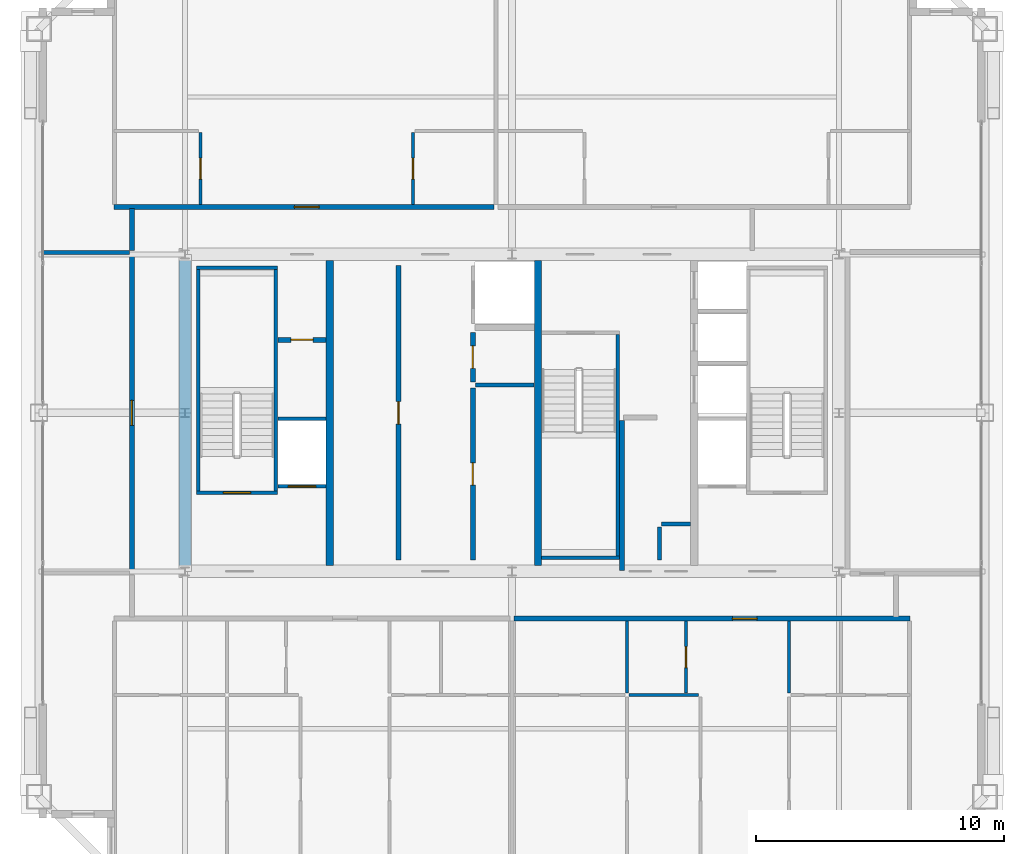
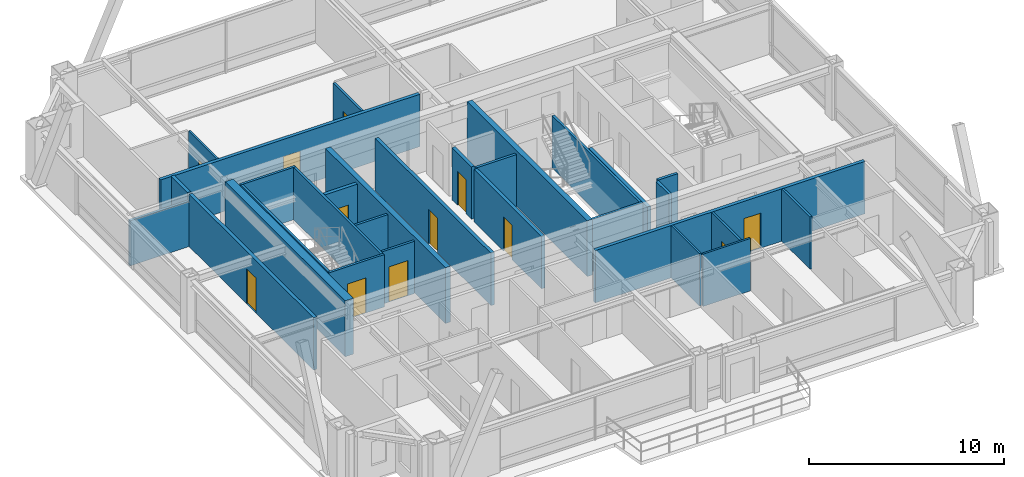
# One storey, part 31 of 34: 30 walls, 12 doors, 12 openings.
"""IFC4 building model written with IfcOpenShell, lengths in metres."""

from ifc_helpers import new_model, si_unit, direction, frame, frame_2d, origin, place, context, subcontext, project, spatial, rectangle, extrude, source, transform, mapped, material, layer, layer_set, type_object, element, fill, save


model = new_model("IFC4")

# Units and contexts
model_context = context("Model", 3, precision=1e-05, world=origin(), true_north=direction((0.0, 1.0)))
body_context = subcontext(model_context, "Body", "Model", "MODEL_VIEW")
ifc_project = project(units=[si_unit("LENGTHUNIT", "METRE"), si_unit("AREAUNIT", "SQUARE_METRE"), si_unit("VOLUMEUNIT", "CUBIC_METRE"), si_unit("PLANEANGLEUNIT", "RADIAN"), si_unit("MASSUNIT", "GRAM", prefix="KILO"), si_unit("THERMODYNAMICTEMPERATUREUNIT", "KELVIN"), si_unit("POWERUNIT", "WATT")], contexts=[model_context])

# Site, building, storey
site_placement = place(None, origin())
site = spatial("IfcSite", under=ifc_project, at=site_placement, CompositionType="ELEMENT")
building_placement = place(site_placement, origin())
building = spatial("IfcBuilding", under=site, at=building_placement, Name="Yuzanri Waterfront Tower", CompositionType="ELEMENT")
storey_placement = place(building_placement, frame((0.0, 0.0, 328.699951171875)))
storey = spatial("IfcBuildingStorey", under=building, at=storey_placement, Name="L88", CompositionType="ELEMENT", Elevation=328.699951171875)

# Wall, opening, door
ifc_material_1 = material(Name="Moisture-Resistant Gypsum Stud Wall", Category="gypsum")
ifc_layer_1 = layer(ifc_material_1, 0.1201171875)
ifc_layer_set_1 = layer_set([ifc_layer_1], Name="Moisture-Resistant Gypsum Stud Wall")
wall_type_1 = type_object("IfcWallType", Name="Bathroom and Kitchen Wet Partition 120", PredefinedType="PARTITIONING", material=ifc_layer_set_1)
wall_1_placement = place(storey_placement, frame((44.02197265625, 14.489990234375, 0.0), z_axis=(0.0, 0.0, 1.0), x_axis=(0.0, 1.0, 0.0)))
wall_1 = element("IfcWall", 1, at=wall_1_placement, inside=storey, type_object=wall_type_1, Name="L88 Partition UW-L88-HS2-SUB-2-E", PredefinedType="PARTITIONING", context=body_context, shape_type="SweptSolid", body=[
    extrude(rectangle(XDim=2.89990234375, YDim=0.1201171875, at=frame_2d((1.449951171875, 0.0))), origin(), (0.0, 0.0, 1.0), 3.280029296875),
])
opening_1_placement = place(wall_1_placement, frame((1.02490234375, 0.0, 0.0)))
opening_1 = element("IfcOpeningElement", 2, at=opening_1_placement, cuts=wall_1, Name="Opening ID-0850", PredefinedType="OPENING", context=body_context, shape_type="SweptSolid", body=[
    extrude(rectangle(XDim=0.85009765625, YDim=2.10009765625, at=frame_2d((0.425048828125, 1.050048828125))), frame((0.0, 0.074951171875, 0.0), z_axis=(0.0, -1.0, 0.0), x_axis=(1.0, 0.0, 0.0)), (0.0, 0.0, 1.0), 0.14990234375),
])
ifc_material_2 = material(Name="Moisture-Resistant Lacquered Timber", Category="wood")
door_type_1 = type_object("IfcDoorType", Name="En-Suite Bathroom and Kitchen Swing Door 850x2100", OperationType="NOTDEFINED", PredefinedType="DOOR", material=ifc_material_2)
shared_shape_1 = source(origin(), body_context, "Body", "SweptSolid", [
    extrude(rectangle(XDim=0.85009765625, YDim=2.10009765625, at=frame_2d((0.425048828125, 1.050048828125))), frame((0.0, 0.02490234375, 0.0), z_axis=(0.0, -1.0, 0.0), x_axis=(1.0, 0.0, 0.0)), (0.0, 0.0, 1.0), 0.050048828125),
])
door_1_placement = place(opening_1_placement, origin())
door_1 = element("IfcDoor", 3, at=door_1_placement, inside=storey, type_object=door_type_1, Name="L88 Suite Interior Room Door", OperationType="SINGLE_SWING_RIGHT", OverallHeight=2.10009765625, OverallWidth=0.85009765625, PredefinedType="DOOR", context=body_context, shape_type="MappedRepresentation", body=[
    mapped(shared_shape_1, transform((0.0, 0.0, 0.0), scale=1.0)),
])
fill(opening_1, door_1)

wall_2_placement = place(storey_placement, frame((24.419921875, 34.2099609375, 0.0), z_axis=(0.0, 0.0, 1.0), x_axis=(0.0, 1.0, 0.0)))
wall_2 = element("IfcWall", 4, at=wall_2_placement, inside=storey, type_object=wall_type_1, Name="L88 Partition UW-L88-HN1-SUB-1-E", PredefinedType="PARTITIONING", context=body_context, shape_type="SweptSolid", body=[
    extrude(rectangle(XDim=2.900146484375, YDim=0.1201171875, at=frame_2d((1.4501953125, 0.0))), origin(), (0.0, 0.0, 1.0), 3.280029296875),
])
opening_2_placement = place(wall_2_placement, frame((1.02490234375, 0.0, 0.0)))
opening_2 = element("IfcOpeningElement", 5, at=opening_2_placement, cuts=wall_2, Name="Opening ID-0850", PredefinedType="OPENING", context=body_context, shape_type="SweptSolid", body=[
    extrude(rectangle(XDim=0.85009765625, YDim=2.10009765625, at=frame_2d((0.425048828125, 1.050048828125))), frame((0.0, 0.074951171875, 0.0), z_axis=(0.0, -1.0, 0.0), x_axis=(1.0, 0.0, 0.0)), (0.0, 0.0, 1.0), 0.14990234375),
])
door_2_placement = place(opening_2_placement, origin())
door_2 = element("IfcDoor", 6, at=door_2_placement, inside=storey, type_object=door_type_1, Name="L88 Suite Interior Room Door", OperationType="SINGLE_SWING_LEFT", OverallHeight=2.10009765625, OverallWidth=0.85009765625, PredefinedType="DOOR", context=body_context, shape_type="MappedRepresentation", body=[
    mapped(shared_shape_1, transform((0.0, 0.0, 0.0), scale=1.0)),
])
fill(opening_2, door_2)

wall_3_placement = place(storey_placement, frame((32.998046875, 34.2099609375, 0.0), z_axis=(0.0, 0.0, 1.0), x_axis=(0.0, 1.0, 0.0)))
wall_3 = element("IfcWall", 7, at=wall_3_placement, inside=storey, type_object=wall_type_1, Name="L88 Partition UW-L88-HN1-SUB-2-W", PredefinedType="PARTITIONING", context=body_context, shape_type="SweptSolid", body=[
    extrude(rectangle(XDim=2.900146484375, YDim=0.1201171875, at=frame_2d((1.4501953125, 0.0))), origin(), (0.0, 0.0, 1.0), 3.280029296875),
])
opening_3_placement = place(wall_3_placement, frame((1.02490234375, 0.0, 0.0)))
opening_3 = element("IfcOpeningElement", 8, at=opening_3_placement, cuts=wall_3, Name="Opening ID-0850", PredefinedType="OPENING", context=body_context, shape_type="SweptSolid", body=[
    extrude(rectangle(XDim=0.85009765625, YDim=2.10009765625, at=frame_2d((0.425048828125, 1.050048828125))), frame((0.0, 0.074951171875, 0.0), z_axis=(0.0, -1.0, 0.0), x_axis=(1.0, 0.0, 0.0)), (0.0, 0.0, 1.0), 0.14990234375),
])
door_3_placement = place(opening_3_placement, origin())
door_3 = element("IfcDoor", 9, at=door_3_placement, inside=storey, type_object=door_type_1, Name="L88 Suite Interior Room Door", OperationType="SINGLE_SWING_RIGHT", OverallHeight=2.10009765625, OverallWidth=0.85009765625, PredefinedType="DOOR", context=body_context, shape_type="MappedRepresentation", body=[
    mapped(shared_shape_1, transform((0.0, 0.0, 0.0), scale=1.0)),
])
fill(opening_3, door_3)

ifc_material_3 = material(Name="Concrete C40", Category="concrete")
ifc_layer_2 = layer(ifc_material_3, 0.139892578125)
ifc_layer_set_2 = layer_set([ifc_layer_2], Name="Concrete C40")
wall_type_2 = type_object("IfcWallType", Name="Core Stair Liner and Hoistway Shaft Wall 140", PredefinedType="SOLIDWALL", material=ifc_layer_set_2)
wall_4_placement = place(storey_placement, frame((27.56005859375, 22.830078125, 0.0), z_axis=(0.0, 0.0, 1.0), x_axis=(1.0, 0.0, 0.0)))
wall_4 = element("IfcWall", 10, at=wall_4_placement, inside=storey, type_object=wall_type_2, Name="L88 Lift FL-01 Front Shaft Wall", PredefinedType="SOLIDWALL", context=body_context, shape_type="SweptSolid", body=[
    extrude(rectangle(XDim=1.919921875, YDim=0.139892578125, at=frame_2d((0.9599609375, 0.0))), origin(), (0.0, 0.0, 1.0), 3.280029296875),
])
opening_4_placement = place(wall_4_placement, frame((0.409912109375, 0.0, 0.0)))
opening_4 = element("IfcOpeningElement", 11, at=opening_4_placement, cuts=wall_4, Name="Opening LD-FL-01", PredefinedType="OPENING", context=body_context, shape_type="SweptSolid", body=[
    extrude(rectangle(XDim=1.10009765625, YDim=2.199951171875, at=frame_2d((0.550048828125, 1.10009765625))), frame((0.0, 0.0849609375, 0.0), z_axis=(0.0, -1.0, 0.0), x_axis=(1.0, 0.0, 0.0)), (0.0, 0.0, 1.0), 0.169677734375),
])
ifc_material_4 = material(Name="Brushed Bronze and Stainless Steel Cab", Category="steel")
door_type_2 = type_object("IfcDoorType", Name="Center-Parting Bronze Lift Landing Sliding Door 1100x2200", OperationType="NOTDEFINED", PredefinedType="DOOR", material=ifc_material_4)
shared_shape_2 = source(origin(), body_context, "Body", "SweptSolid", [
    extrude(rectangle(XDim=1.10009765625, YDim=2.199951171875, at=frame_2d((0.550048828125, 1.10009765625))), frame((0.0, 0.02490234375, 0.0), z_axis=(0.0, -1.0, 0.0), x_axis=(1.0, 0.0, 0.0)), (0.0, 0.0, 1.0), 0.050048828125),
])
door_4_placement = place(opening_4_placement, origin())
door_4 = element("IfcDoor", 12, at=door_4_placement, inside=storey, type_object=door_type_2, Name="L88 FL-01 Lift Landing Sliding Door", OperationType="SLIDING_TO_LEFT", OverallHeight=2.199951171875, OverallWidth=1.10009765625, PredefinedType="DOOR", context=body_context, shape_type="MappedRepresentation", body=[
    mapped(shared_shape_2, transform((0.0, 0.0, 0.0), scale=1.0)),
])
fill(opening_4, door_4)

wall_5_placement = place(storey_placement, frame((24.260009765625, 22.570068359375, 0.0), z_axis=(0.0, 0.0, 1.0), x_axis=(1.0, 0.0, 0.0)))
wall_5 = element("IfcWall", 13, at=wall_5_placement, inside=storey, type_object=wall_type_2, Name="L88 Shaft Wall STW-L88-ST-01-S", PredefinedType="SOLIDWALL", context=body_context, shape_type="SweptSolid", body=[
    extrude(rectangle(XDim=3.280029296875, YDim=0.139892578125, at=frame_2d((1.64013671875, 0.0))), origin(), (0.0, 0.0, 1.0), 3.280029296875),
])
opening_5_placement = place(wall_5_placement, frame((1.090087890625, 0.0, 0.0)))
opening_5 = element("IfcOpeningElement", 14, at=opening_5_placement, cuts=wall_5, Name="Opening FD-1100", PredefinedType="OPENING", context=body_context, shape_type="SweptSolid", body=[
    extrude(rectangle(XDim=1.10009765625, YDim=2.199951171875, at=frame_2d((0.550048828125, 1.10009765625))), frame((0.0, 0.0849609375, 0.0), z_axis=(0.0, -1.0, 0.0), x_axis=(1.0, 0.0, 0.0)), (0.0, 0.0, 1.0), 0.169677734375),
])
ifc_material_5 = material(Name="Painted Galvanized Fire Steel", Category="steel")
door_type_3 = type_object("IfcDoorType", Name="Smoke-Proof Stair and Lobby Fire Door 1100x2200", OperationType="NOTDEFINED", PredefinedType="DOOR", material=ifc_material_5)
shared_shape_3 = source(origin(), body_context, "Body", "SweptSolid", [
    extrude(rectangle(XDim=1.10009765625, YDim=2.199951171875, at=frame_2d((0.550048828125, 1.10009765625))), frame((0.0, 0.02490234375, 0.0), z_axis=(0.0, -1.0, 0.0), x_axis=(1.0, 0.0, 0.0)), (0.0, 0.0, 1.0), 0.050048828125),
])
door_5_placement = place(opening_5_placement, origin())
door_5 = element("IfcDoor", 15, at=door_5_placement, inside=storey, type_object=door_type_3, Name="L88 Stair ST-01 Fire Door", OperationType="SINGLE_SWING_RIGHT", OverallHeight=2.199951171875, OverallWidth=1.10009765625, PredefinedType="DOOR", context=body_context, shape_type="MappedRepresentation", body=[
    mapped(shared_shape_3, transform((0.0, 0.0, 0.0), scale=1.0)),
])
fill(opening_5, door_5)

ifc_material_6 = material(Name="Autoclaved Aerated Concrete Blockwork", Category="masonry")
ifc_layer_3 = layer(ifc_material_6, 0.199951171875)
ifc_layer_set_3 = layer_set([ifc_layer_3], Name="Autoclaved Aerated Concrete Blockwork")
wall_type_3 = type_object("IfcWallType", Name="Corridor and Unit Party Fire Wall 200", PredefinedType="PARTITIONING", material=ifc_layer_set_3)
wall_6_placement = place(storey_placement, frame((27.56005859375, 28.75, 0.0), z_axis=(0.0, 0.0, 1.0), x_axis=(1.0, 0.0, 0.0)))
wall_6 = element("IfcWall", 16, at=wall_6_placement, inside=storey, type_object=wall_type_3, Name="L88 Partition CRW-L88-ERTR", PredefinedType="PARTITIONING", context=body_context, shape_type="SweptSolid", body=[
    extrude(rectangle(XDim=1.919921875, YDim=0.199951171875, at=frame_2d((0.9599609375, 0.0))), origin(), (0.0, 0.0, 1.0), 3.280029296875),
])
opening_6_placement = place(wall_6_placement, frame((0.510009765625, 0.0, 0.0)))
opening_6 = element("IfcOpeningElement", 17, at=opening_6_placement, cuts=wall_6, Name="Opening FD-0900", PredefinedType="OPENING", context=body_context, shape_type="SweptSolid", body=[
    extrude(rectangle(XDim=0.89990234375, YDim=2.14990234375, at=frame_2d((0.449951171875, 1.074951171875))), frame((0.0, 0.11474609375, 0.0), z_axis=(0.0, -1.0, 0.0), x_axis=(1.0, 0.0, 0.0)), (0.0, 0.0, 1.0), 0.229736328125),
])
ifc_material_7 = material(Name="Painted Galvanized Fire Steel", Category="steel")
door_type_4 = type_object("IfcDoorType", Name="Riser and Service Room Fire Door 900x2150", OperationType="NOTDEFINED", PredefinedType="DOOR", material=ifc_material_7)
shared_shape_4 = source(origin(), body_context, "Body", "SweptSolid", [
    extrude(rectangle(XDim=0.89990234375, YDim=2.14990234375, at=frame_2d((0.449951171875, 1.074951171875))), frame((0.0, 0.02490234375, 0.0), z_axis=(0.0, -1.0, 0.0), x_axis=(1.0, 0.0, 0.0)), (0.0, 0.0, 1.0), 0.050048828125),
])
door_6_placement = place(opening_6_placement, origin())
door_6 = element("IfcDoor", 18, at=door_6_placement, inside=storey, type_object=door_type_4, Name="L88 Electrical Riser Door", OperationType="SINGLE_SWING_RIGHT", OverallHeight=2.14990234375, OverallWidth=0.89990234375, PredefinedType="DOOR", context=body_context, shape_type="MappedRepresentation", body=[
    mapped(shared_shape_4, transform((0.0, 0.0, 0.0), scale=1.0)),
])
fill(opening_6, door_6)

wall_7_placement = place(storey_placement, frame((32.419921875, 19.860107421875, 0.0), z_axis=(0.0, 0.0, 1.0), x_axis=(0.0, 1.0, 0.0)))
wall_7 = element("IfcWall", 19, at=wall_7_placement, inside=storey, type_object=wall_type_3, Name="L88 Partition CRW-L88-B1R-1", PredefinedType="PARTITIONING", context=body_context, shape_type="SweptSolid", body=[
    extrude(rectangle(XDim=11.8798828125, YDim=0.199951171875, at=frame_2d((5.93994140625, 0.0))), origin(), (0.0, 0.0, 1.0), 3.280029296875),
])
opening_7_placement = place(wall_7_placement, frame((5.489990234375, 0.0, 0.0)))
opening_7 = element("IfcOpeningElement", 20, at=opening_7_placement, cuts=wall_7, Name="Opening FD-0900", PredefinedType="OPENING", context=body_context, shape_type="SweptSolid", body=[
    extrude(rectangle(XDim=0.89990234375, YDim=2.14990234375, at=frame_2d((0.449951171875, 1.074951171875))), frame((0.0, 0.11474609375, 0.0), z_axis=(0.0, -1.0, 0.0), x_axis=(1.0, 0.0, 0.0)), (0.0, 0.0, 1.0), 0.229736328125),
])
door_7_placement = place(opening_7_placement, origin())
door_7 = element("IfcDoor", 21, at=door_7_placement, inside=storey, type_object=door_type_4, Name="L88 Private Store Room", OperationType="SINGLE_SWING_LEFT", OverallHeight=2.14990234375, OverallWidth=0.89990234375, PredefinedType="DOOR", context=body_context, shape_type="MappedRepresentation", body=[
    mapped(shared_shape_4, transform((0.0, 0.0, 0.0), scale=1.0)),
])
fill(opening_7, door_7)

wall_8_placement = place(storey_placement, frame((35.419921875, 19.860107421875, 0.0), z_axis=(0.0, 0.0, 1.0), x_axis=(0.0, 1.0, 0.0)))
wall_8 = element("IfcWall", 22, at=wall_8_placement, inside=storey, type_object=wall_type_3, Name="L88 Partition CRW-L88-B2R-1", PredefinedType="PARTITIONING", context=body_context, shape_type="SweptSolid", body=[
    extrude(rectangle(XDim=6.93994140625, YDim=0.199951171875, at=frame_2d((3.469970703125, 0.0))), origin(), (0.0, 0.0, 1.0), 3.280029296875),
])
opening_8_placement = place(wall_8_placement, frame((3.02001953125, 0.0, 0.0)))
opening_8 = element("IfcOpeningElement", 23, at=opening_8_placement, cuts=wall_8, Name="Opening FD-0900", PredefinedType="OPENING", context=body_context, shape_type="SweptSolid", body=[
    extrude(rectangle(XDim=0.89990234375, YDim=2.14990234375, at=frame_2d((0.449951171875, 1.074951171875))), frame((0.0, 0.11474609375, 0.0), z_axis=(0.0, -1.0, 0.0), x_axis=(1.0, 0.0, 0.0)), (0.0, 0.0, 1.0), 0.229736328125),
])
door_8_placement = place(opening_8_placement, origin())
door_8 = element("IfcDoor", 24, at=door_8_placement, inside=storey, type_object=door_type_4, Name="L88 East Common Store Room", OperationType="SINGLE_SWING_RIGHT", OverallHeight=2.14990234375, OverallWidth=0.89990234375, PredefinedType="DOOR", context=body_context, shape_type="MappedRepresentation", body=[
    mapped(shared_shape_4, transform((0.0, 0.0, 0.0), scale=1.0)),
])
fill(opening_8, door_8)

wall_9_placement = place(storey_placement, frame((35.419921875, 27.050048828125, 0.0), z_axis=(0.0, 0.0, 1.0), x_axis=(0.0, 1.0, 0.0)))
wall_9 = element("IfcWall", 25, at=wall_9_placement, inside=storey, type_object=wall_type_3, Name="L88 Partition CRW-L88-B2R-2", PredefinedType="PARTITIONING", context=body_context, shape_type="SweptSolid", body=[
    extrude(rectangle(XDim=2.0, YDim=0.199951171875, at=frame_2d((1.0, 0.0))), origin(), (0.0, 0.0, 1.0), 3.280029296875),
])
opening_9_placement = place(wall_9_placement, frame((0.550048828125, 0.0, 0.0)))
opening_9 = element("IfcOpeningElement", 26, at=opening_9_placement, cuts=wall_9, Name="Opening FD-0900", PredefinedType="OPENING", context=body_context, shape_type="SweptSolid", body=[
    extrude(rectangle(XDim=0.89990234375, YDim=2.14990234375, at=frame_2d((0.449951171875, 1.074951171875))), frame((0.0, 0.11474609375, 0.0), z_axis=(0.0, -1.0, 0.0), x_axis=(1.0, 0.0, 0.0)), (0.0, 0.0, 1.0), 0.229736328125),
])
door_9_placement = place(opening_9_placement, origin())
door_9 = element("IfcDoor", 27, at=door_9_placement, inside=storey, type_object=door_type_4, Name="L88 Service Duct Shaft", OperationType="SINGLE_SWING_LEFT", OverallHeight=2.14990234375, OverallWidth=0.89990234375, PredefinedType="DOOR", context=body_context, shape_type="MappedRepresentation", body=[
    mapped(shared_shape_4, transform((0.0, 0.0, 0.0), scale=1.0)),
])
fill(opening_9, door_9)

wall_10_placement = place(storey_placement, frame((37.080078125, 17.489990234375, 0.0), z_axis=(0.0, 0.0, 1.0), x_axis=(1.0, 0.0, 0.0)))
wall_10 = element("IfcWall", 28, at=wall_10_placement, inside=storey, type_object=wall_type_3, Name="L88 Partition UW-L88-HS2-CN", PredefinedType="PARTITIONING", context=body_context, shape_type="SweptSolid", body=[
    extrude(rectangle(XDim=15.97998046875, YDim=0.199951171875, at=frame_2d((7.989990234375, 0.0))), origin(), (0.0, 0.0, 1.0), 3.280029296875),
])
opening_10_placement = place(wall_10_placement, frame((8.81591796875, 0.0, 0.0)))
opening_10 = element("IfcOpeningElement", 29, at=opening_10_placement, cuts=wall_10, Name="Opening FD-1000", PredefinedType="OPENING", context=body_context, shape_type="SweptSolid", body=[
    extrude(rectangle(XDim=1.0, YDim=2.199951171875, at=frame_2d((0.5, 1.10009765625))), frame((0.0, 0.11474609375, 0.0), z_axis=(0.0, -1.0, 0.0), x_axis=(1.0, 0.0, 0.0)), (0.0, 0.0, 1.0), 0.229736328125),
])
ifc_material_8 = material(Name="Engineered Oak Fire-Rated Timber", Category="wood")
door_type_5 = type_object("IfcDoorType", Name="Guestroom and Apartment Entrance Fire Door 1000x2200", OperationType="NOTDEFINED", PredefinedType="DOOR", material=ifc_material_8)
shared_shape_5 = source(origin(), body_context, "Body", "SweptSolid", [
    extrude(rectangle(XDim=1.0, YDim=2.199951171875, at=frame_2d((0.5, 1.10009765625))), frame((0.0, 0.02490234375, 0.0), z_axis=(0.0, -1.0, 0.0), x_axis=(1.0, 0.0, 0.0)), (0.0, 0.0, 1.0), 0.050048828125),
])
door_10_placement = place(opening_10_placement, origin())
door_10 = element("IfcDoor", 30, at=door_10_placement, inside=storey, type_object=door_type_5, Name="L88 Apartment Living and Dining Salon Entrance Door", OperationType="SINGLE_SWING_RIGHT", OverallHeight=2.199951171875, OverallWidth=1.0, PredefinedType="DOOR", context=body_context, shape_type="MappedRepresentation", body=[
    mapped(shared_shape_5, transform((0.0, 0.0, 0.0), scale=1.0)),
])
fill(opening_10, door_10)

wall_11_placement = place(storey_placement, frame((20.93994140625, 34.110107421875, 0.0), z_axis=(0.0, 0.0, 1.0), x_axis=(1.0, 0.0, 0.0)))
wall_11 = element("IfcWall", 31, at=wall_11_placement, inside=storey, type_object=wall_type_3, Name="L88 Partition UW-L88-HN1-CS", PredefinedType="PARTITIONING", context=body_context, shape_type="SweptSolid", body=[
    extrude(rectangle(XDim=15.338134765625, YDim=0.199951171875, at=frame_2d((7.6689453125, 0.0))), origin(), (0.0, 0.0, 1.0), 3.280029296875),
])
opening_11_placement = place(wall_11_placement, frame((7.26904296875, 0.0, 0.0)))
opening_11 = element("IfcOpeningElement", 32, at=opening_11_placement, cuts=wall_11, Name="Opening FD-1000", PredefinedType="OPENING", context=body_context, shape_type="SweptSolid", body=[
    extrude(rectangle(XDim=1.0, YDim=2.199951171875, at=frame_2d((0.5, 1.10009765625))), frame((0.0, 0.11474609375, 0.0), z_axis=(0.0, -1.0, 0.0), x_axis=(1.0, 0.0, 0.0)), (0.0, 0.0, 1.0), 0.229736328125),
])
door_11_placement = place(opening_11_placement, origin())
door_11 = element("IfcDoor", 33, at=door_11_placement, inside=storey, type_object=door_type_5, Name="L88 Studio Living and Sleeping Room Entrance Door", OperationType="SINGLE_SWING_RIGHT", OverallHeight=2.199951171875, OverallWidth=1.0, PredefinedType="DOOR", context=body_context, shape_type="MappedRepresentation", body=[
    mapped(shared_shape_5, transform((0.0, 0.0, 0.0), scale=1.0)),
])
fill(opening_11, door_11)

wall_12_placement = place(storey_placement, frame((21.64990234375, 19.409912109375, 0.0), z_axis=(0.0, 0.0, 1.0), x_axis=(0.0, 1.0, 0.0)))
wall_12 = element("IfcWall", 34, at=wall_12_placement, inside=storey, type_object=wall_type_3, Name="L88 Partition UW-L88-041-CW", PredefinedType="PARTITIONING", context=body_context, shape_type="SweptSolid", body=[
    extrude(rectangle(XDim=12.780029296875, YDim=0.199951171875, at=frame_2d((6.39013671875, 0.0))), origin(), (0.0, 0.0, 1.0), 3.280029296875),
])
opening_12_placement = place(wall_12_placement, frame((5.889892578125, 0.0, 0.0)))
opening_12 = element("IfcOpeningElement", 35, at=opening_12_placement, cuts=wall_12, Name="Opening FD-1000", PredefinedType="OPENING", context=body_context, shape_type="SweptSolid", body=[
    extrude(rectangle(XDim=1.0, YDim=2.199951171875, at=frame_2d((0.5, 1.10009765625))), frame((0.0, 0.11474609375, 0.0), z_axis=(0.0, -1.0, 0.0), x_axis=(1.0, 0.0, 0.0)), (0.0, 0.0, 1.0), 0.229736328125),
])
door_12_placement = place(opening_12_placement, origin())
door_12 = element("IfcDoor", 36, at=door_12_placement, inside=storey, type_object=door_type_5, Name="L88 High-Rise W Boardroom Meeting Room Entrance Door", OperationType="SINGLE_SWING_RIGHT", OverallHeight=2.199951171875, OverallWidth=1.0, PredefinedType="DOOR", context=body_context, shape_type="MappedRepresentation", body=[
    mapped(shared_shape_5, transform((0.0, 0.0, 0.0), scale=1.0)),
])
fill(opening_12, door_12)

# Walls
ifc_material_9 = material(Name="Concrete C45", Category="concrete")
ifc_layer_4 = layer(ifc_material_9, 0.47998046875)
ifc_layer_set_4 = layer_set([ifc_layer_4], Name="Concrete C45")
wall_type_4 = type_object("IfcWallType", Name="Concrete C45 High-Rise Core Shear Wall 480", PredefinedType="SHEAR", material=ifc_layer_set_4)
shared_shape_6 = source(origin(), body_context, "Body", "SweptSolid", [
    extrude(rectangle(XDim=12.320068359375, YDim=0.47998046875, at=frame_2d((6.16015625, 0.0))), origin(), (0.0, 0.0, 1.0), 3.5),
])
wall_13_placement = place(storey_placement, frame((23.800048828125, 19.639892578125, 0.0), z_axis=(0.0, 0.0, 1.0), x_axis=(0.0, 1.0, 0.0)))
element("IfcWall", 37, at=wall_13_placement, inside=storey, type_object=wall_type_4, Name="L88 Core West Shear Wall", PredefinedType="SHEAR", context=body_context, shape_type="MappedRepresentation", body=[
    mapped(shared_shape_6, transform((0.0, 0.0, 0.0), scale=1.0)),
])
ifc_material_10 = material(Name="Concrete C50", Category="concrete")
ifc_layer_5 = layer(ifc_material_10, 0.300048828125)
ifc_layer_set_5 = layer_set([ifc_layer_5], Name="Concrete C50")
wall_type_5 = type_object("IfcWallType", Name="Concrete C50 Internal Core Shaft Structural Wall 300", PredefinedType="SOLIDWALL", material=ifc_layer_set_5)
shared_shape_7 = source(origin(), body_context, "Body", "SweptSolid", [
    extrude(rectangle(XDim=12.320068359375, YDim=0.300048828125, at=frame_2d((6.16015625, 0.0))), origin(), (0.0, 0.0, 1.0), 3.5),
])
for number, where, z_axis, x_axis, name in (
    (38, (29.64990234375, 19.639892578125, 0.0), (0.0, 0.0, 1.0), (0.0, 1.0, 0.0), "L88 Core Internal Structural Web Wall 1"),
    (39, (38.050048828125, 19.639892578125, 0.0), (0.0, 0.0, 1.0), (0.0, 1.0, 0.0), "L88 Core Internal Structural Web Wall 2"),
):
    element("IfcWall", number, at=place(storey_placement, frame(where, z_axis=z_axis, x_axis=x_axis)), inside=storey, type_object=wall_type_5, Name=name, PredefinedType="SOLIDWALL", context=body_context, shape_type="MappedRepresentation", body=[
        mapped(shared_shape_7, transform((0.0, 0.0, 0.0), scale=1.0)),
    ])
shared_shape_8 = source(origin(), body_context, "Body", "SweptSolid", [
    extrude(rectangle(XDim=1.919921875, YDim=0.139892578125, at=frame_2d((0.9599609375, 0.0))), origin(), (0.0, 0.0, 1.0), 3.280029296875),
])
wall_14_placement = place(storey_placement, frame((27.56005859375, 25.570068359375, 0.0), z_axis=(0.0, 0.0, 1.0), x_axis=(1.0, 0.0, 0.0)))
element("IfcWall", 40, at=wall_14_placement, inside=storey, type_object=wall_type_2, Name="L88 Lift FL-01 Back Shaft Wall", PredefinedType="SOLIDWALL", context=body_context, shape_type="MappedRepresentation", body=[
    mapped(shared_shape_8, transform((0.0, 0.0, 0.0), scale=1.0)),
])
shared_shape_9 = source(origin(), body_context, "Body", "SweptSolid", [
    extrude(rectangle(XDim=3.280029296875, YDim=0.139892578125, at=frame_2d((1.64013671875, 0.0))), origin(), (0.0, 0.0, 1.0), 3.280029296875),
])
wall_15_placement = place(storey_placement, frame((24.260009765625, 31.64990234375, 0.0), z_axis=(0.0, 0.0, 1.0), x_axis=(1.0, 0.0, 0.0)))
element("IfcWall", 41, at=wall_15_placement, inside=storey, type_object=wall_type_2, Name="L88 Stair ST-01 North Shaft Wall", PredefinedType="SOLIDWALL", context=body_context, shape_type="MappedRepresentation", body=[
    mapped(shared_shape_9, transform((0.0, 0.0, 0.0), scale=1.0)),
])
shared_shape_10 = source(origin(), body_context, "Body", "SweptSolid", [
    extrude(rectangle(XDim=8.940185546875, YDim=0.139892578125, at=frame_2d((4.47021484375, 0.0))), origin(), (0.0, 0.0, 1.0), 3.280029296875),
])
for number, where, z_axis, x_axis, name in (
    (42, (24.330078125, 22.639892578125, 0.0), (0.0, 0.0, 1.0), (0.0, 1.0, 0.0), "L88 Stair ST-01 West Shaft Wall"),
    (43, (27.469970703125, 22.639892578125, 0.0), (0.0, 0.0, 1.0), (0.0, 1.0, 0.0), "L88 Stair ST-01 East Shaft Wall"),
):
    element("IfcWall", number, at=place(storey_placement, frame(where, z_axis=z_axis, x_axis=x_axis)), inside=storey, type_object=wall_type_2, Name=name, PredefinedType="SOLIDWALL", context=body_context, shape_type="MappedRepresentation", body=[
        mapped(shared_shape_10, transform((0.0, 0.0, 0.0), scale=1.0)),
    ])
shared_shape_11 = source(origin(), body_context, "Body", "SweptSolid", [
    extrude(rectangle(XDim=3.14013671875, YDim=0.139892578125, at=frame_2d((1.570068359375, 0.0))), origin(), (0.0, 0.0, 1.0), 3.280029296875),
])
wall_16_placement = place(storey_placement, frame((38.199951171875, 19.949951171875, 0.0), z_axis=(0.0, 0.0, 1.0), x_axis=(1.0, 0.0, 0.0)))
element("IfcWall", 44, at=wall_16_placement, inside=storey, type_object=wall_type_2, Name="L88 Stair ST-03 South Shaft Wall", PredefinedType="SOLIDWALL", context=body_context, shape_type="MappedRepresentation", body=[
    mapped(shared_shape_11, transform((0.0, 0.0, 0.0), scale=1.0)),
])
shared_shape_12 = source(origin(), body_context, "Body", "SweptSolid", [
    extrude(rectangle(XDim=8.93994140625, YDim=0.139892578125, at=frame_2d((4.469970703125, 0.0))), origin(), (0.0, 0.0, 1.0), 3.280029296875),
])
wall_17_placement = place(storey_placement, frame((41.27001953125, 20.02001953125, 0.0), z_axis=(0.0, 0.0, 1.0), x_axis=(0.0, 1.0, 0.0)))
element("IfcWall", 45, at=wall_17_placement, inside=storey, type_object=wall_type_2, Name="L88 Stair ST-03 East Shaft Wall", PredefinedType="SOLIDWALL", context=body_context, shape_type="MappedRepresentation", body=[
    mapped(shared_shape_12, transform((0.0, 0.0, 0.0), scale=1.0)),
])
ifc_material_11 = material(Name="Gypsum Fireboard Acoustic Stud Wall", Category="gypsum")
ifc_layer_6 = layer(ifc_material_11, 0.159912109375)
ifc_layer_set_6 = layer_set([ifc_layer_6], Name="Gypsum Fireboard Acoustic Stud Wall")
wall_type_6 = type_object("IfcWallType", Name="Acoustic Suite Demising Partition 160", PredefinedType="PARTITIONING", material=ifc_layer_set_6)
shared_shape_13 = source(origin(), body_context, "Body", "SweptSolid", [
    extrude(rectangle(XDim=1.33984375, YDim=0.159912109375, at=frame_2d((0.669921875, 0.0))), origin(), (0.0, 0.0, 1.0), 3.280029296875),
])
wall_18_placement = place(storey_placement, frame((42.949951171875, 19.860107421875, 0.0), z_axis=(0.0, 0.0, 1.0), x_axis=(0.0, 1.0, 0.0)))
element("IfcWall", 46, at=wall_18_placement, inside=storey, type_object=wall_type_6, Name="L88 East Wet Riser West Wall", PredefinedType="PARTITIONING", context=body_context, shape_type="MappedRepresentation", body=[
    mapped(shared_shape_13, transform((0.0, 0.0, 0.0), scale=1.0)),
])
shared_shape_14 = source(origin(), body_context, "Body", "SweptSolid", [
    extrude(rectangle(XDim=1.169921875, YDim=0.159912109375, at=frame_2d((0.5849609375, 0.0))), origin(), (0.0, 0.0, 1.0), 3.280029296875),
])
wall_19_placement = place(storey_placement, frame((43.030029296875, 21.320068359375, 0.0), z_axis=(0.0, 0.0, 1.0), x_axis=(1.0, 0.0, 0.0)))
element("IfcWall", 47, at=wall_19_placement, inside=storey, type_object=wall_type_6, Name="L88 East Wet Riser North Wall", PredefinedType="PARTITIONING", context=body_context, shape_type="MappedRepresentation", body=[
    mapped(shared_shape_14, transform((0.0, 0.0, 0.0), scale=1.0)),
])
shared_shape_15 = source(origin(), body_context, "Body", "SweptSolid", [
    extrude(rectangle(XDim=3.5, YDim=0.159912109375, at=frame_2d((1.75, 0.0))), origin(), (0.0, 0.0, 1.0), 2.824951171875),
])
wall_20_placement = place(storey_placement, frame((18.050048828125, 32.27001953125, 0.0), z_axis=(0.0, 0.0, 1.0), x_axis=(1.0, 0.0, 0.0)))
element("IfcWall", 48, at=wall_20_placement, inside=storey, type_object=wall_type_6, Name="L88-041 Wing North End Wall", PredefinedType="PARTITIONING", context=body_context, shape_type="MappedRepresentation", body=[
    mapped(shared_shape_15, transform((0.0, 0.0, 0.0), scale=1.0)),
])
shared_shape_16 = source(origin(), body_context, "Body", "SweptSolid", [
    extrude(rectangle(XDim=2.35986328125, YDim=0.159912109375, at=frame_2d((1.179931640625, 0.0))), origin(), (0.0, 0.0, 1.0), 3.280029296875),
])
wall_21_placement = place(storey_placement, frame((35.52001953125, 26.929931640625, 0.0), z_axis=(0.0, 0.0, 1.0), x_axis=(1.0, 0.0, 0.0)))
element("IfcWall", 49, at=wall_21_placement, inside=storey, type_object=wall_type_6, Name="L88 Reclaimed High-Zone Divider 2", PredefinedType="PARTITIONING", context=body_context, shape_type="MappedRepresentation", body=[
    mapped(shared_shape_16, transform((0.0, 0.0, 0.0), scale=1.0)),
])
shared_shape_17 = source(origin(), body_context, "Body", "SweptSolid", [
    extrude(rectangle(XDim=6.06005859375, YDim=0.199951171875, at=frame_2d((3.030029296875, 0.0))), origin(), (0.0, 0.0, 1.0), 3.280029296875),
])
wall_22_placement = place(storey_placement, frame((41.449951171875, 19.43994140625, 0.0), z_axis=(0.0, 0.0, 1.0), x_axis=(0.0, 1.0, 0.0)))
element("IfcWall", 50, at=wall_22_placement, inside=storey, type_object=wall_type_3, Name="L88 Core BOH West Wall 1", PredefinedType="PARTITIONING", context=body_context, shape_type="MappedRepresentation", body=[
    mapped(shared_shape_17, transform((0.0, 0.0, 0.0), scale=1.0)),
])
shared_shape_18 = source(origin(), body_context, "Body", "SweptSolid", [
    extrude(rectangle(XDim=1.699951171875, YDim=0.199951171875, at=frame_2d((0.85009765625, 0.0))), origin(), (0.0, 0.0, 1.0), 3.280029296875),
])
wall_23_placement = place(storey_placement, frame((21.64990234375, 32.35009765625, 0.0), z_axis=(0.0, 0.0, 1.0), x_axis=(0.0, 1.0, 0.0)))
element("IfcWall", 51, at=wall_23_placement, inside=storey, type_object=wall_type_3, Name="L88 North Foyer West End Wall", PredefinedType="PARTITIONING", context=body_context, shape_type="MappedRepresentation", body=[
    mapped(shared_shape_18, transform((0.0, 0.0, 0.0), scale=1.0)),
])
shared_shape_19 = source(origin(), body_context, "Body", "SweptSolid", [
    extrude(rectangle(XDim=2.89990234375, YDim=0.1201171875, at=frame_2d((1.449951171875, 0.0))), origin(), (0.0, 0.0, 1.0), 3.280029296875),
])
for number, where, z_axis, x_axis, name in (
    (52, (41.634033203125, 14.489990234375, 0.0), (0.0, 0.0, 1.0), (0.0, 1.0, 0.0), "L88 Partition UW-L88-HS2-SUB-1-E"),
    (53, (48.18603515625, 14.489990234375, 0.0), (0.0, 0.0, 1.0), (0.0, 1.0, 0.0), "L88 Partition UW-L88-HS2-SUB-4-W"),
):
    element("IfcWall", number, at=place(storey_placement, frame(where, z_axis=z_axis, x_axis=x_axis)), inside=storey, type_object=wall_type_1, Name=name, PredefinedType="PARTITIONING", context=body_context, shape_type="MappedRepresentation", body=[
        mapped(shared_shape_19, transform((0.0, 0.0, 0.0), scale=1.0)),
    ])
shared_shape_20 = source(origin(), body_context, "Body", "SweptSolid", [
    extrude(rectangle(XDim=2.811767578125, YDim=0.1201171875, at=frame_2d((1.40576171875, 0.0))), origin(), (0.0, 0.0, 1.0), 3.280029296875),
])
wall_24_placement = place(storey_placement, frame((41.714111328125, 14.409912109375, 0.0), z_axis=(0.0, 0.0, 1.0), x_axis=(1.0, 0.0, 0.0)))
element("IfcWall", 54, at=wall_24_placement, inside=storey, type_object=wall_type_1, Name="L88 Partition UW-L88-HS2-SUB-7-N", PredefinedType="PARTITIONING", context=body_context, shape_type="MappedRepresentation", body=[
    mapped(shared_shape_20, transform((0.0, 0.0, 0.0), scale=1.0)),
])

save(model, "model.ifc")
